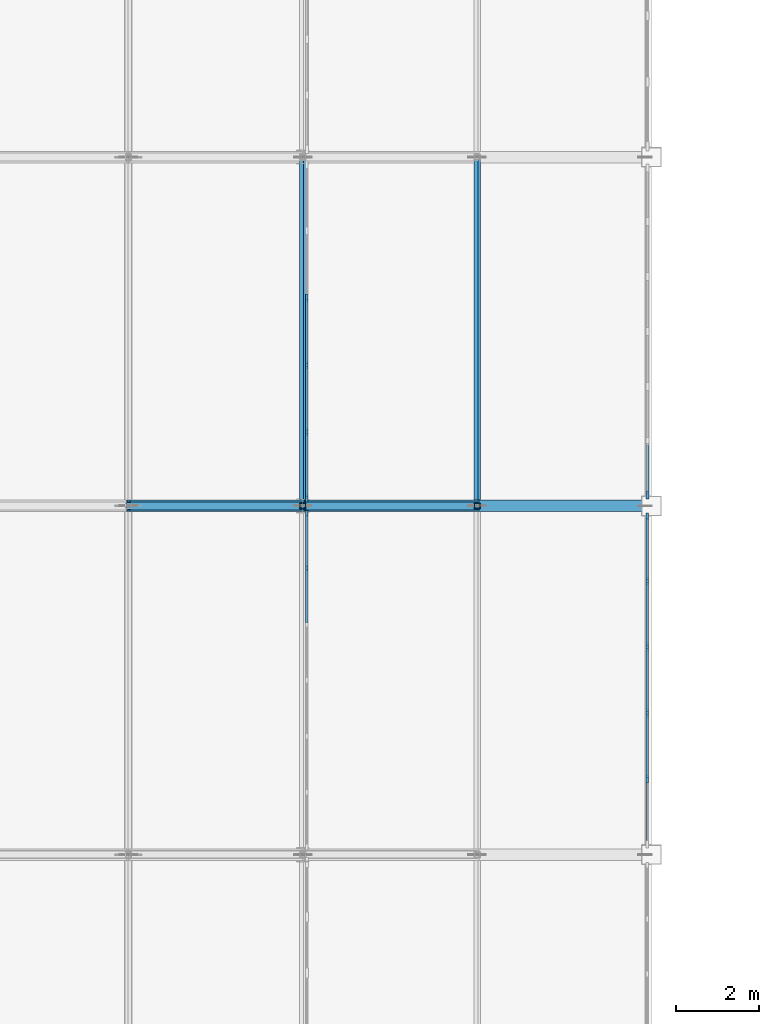
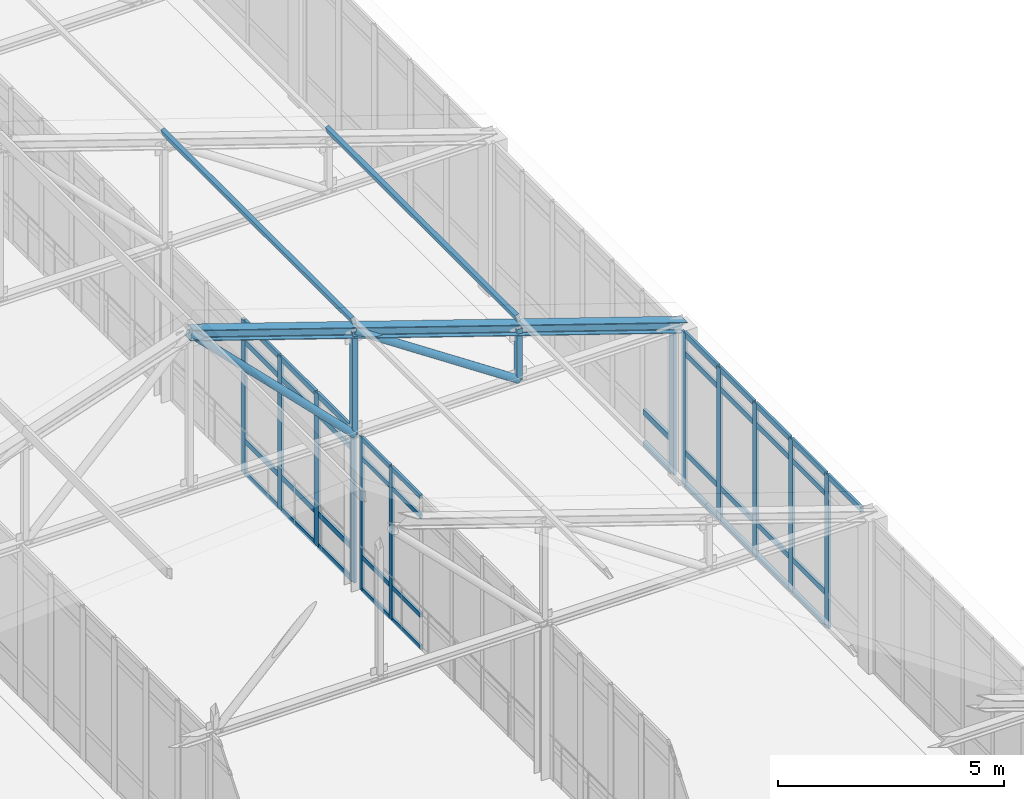
# One storey, part 67 of 192: 60 members, 4 elements without a shape of their own.
"""IFC4 building model written with IfcOpenShell, lengths in metres."""

from ifc_helpers import new_model, si_unit, direction, frame, origin, origin_2d, place, context, subcontext, project, spatial, rectangle, hollow_rectangle, hollow_circle, i_section, extrude, material, layer, layer_set, material_profile, profile_set, type_object, element, aggregate, save


model = new_model("IFC4")

# Units and contexts
model_context = context("Model", 3, precision=1e-05, world=origin(), true_north=direction((0.0, 1.0)))
body_context = subcontext(model_context, "Body", "Model", "MODEL_VIEW")
ifc_project = project(units=[si_unit("LENGTHUNIT", "METRE"), si_unit("AREAUNIT", "SQUARE_METRE"), si_unit("VOLUMEUNIT", "CUBIC_METRE"), si_unit("PLANEANGLEUNIT", "RADIAN"), si_unit("MASSUNIT", "GRAM", prefix="KILO")], contexts=[model_context])

# Site, building, storey
site_placement = place(None, origin())
site = spatial("IfcSite", under=ifc_project, at=site_placement, CompositionType="ELEMENT")
building_placement = place(site_placement, origin())
building = spatial("IfcBuilding", under=site, at=building_placement, Name="Kveldsbrygga Polytechnic", CompositionType="ELEMENT")
storey_placement = place(building_placement, frame((0.0, 0.0, 5.43994140625)))
storey = spatial("IfcBuildingStorey", under=building, at=storey_placement, Name="L01", CompositionType="ELEMENT", Elevation=5.43994140625)

# Curtain wall, members
ifc_material_1 = material(Name="Anodised aluminium AW-6060", Category="aluminium")
ifc_layer_1 = layer(ifc_material_1, 0.179931640625)
ifc_layer_set_1 = layer_set([ifc_layer_1], Name="Anodised aluminium AW-6060")
curtain_wall_type_1 = type_object("IfcCurtainWallType", Name="CW-CONC-A", PredefinedType="USERDEFINED", material=ifc_layer_set_1)
curtain_wall_1_placement = place(storey_placement, origin())
curtain_wall_1 = element("IfcCurtainWall", 1, at=curtain_wall_1_placement, inside=storey, type_object=curtain_wall_type_1, Name="Curtain Wall CW-L01-Y-08-06", ObjectType="UNITISED CURTAIN WALL", PredefinedType="USERDEFINED")
ifc_material_profile_1 = material_profile(ifc_material_1, rectangle(XDim=0.06005859375, YDim=0.139892578125, at=origin_2d()), Name="ALU 60x140")
ifc_profile_set_1 = profile_set([ifc_material_profile_1], Name="Anodised aluminium AW-6060")
member_type_1 = type_object("IfcMemberType", Name="CW-MUL-140", PredefinedType="MULLION", material=ifc_profile_set_1)
member_1_placement = place(storey_placement, frame((67.300048828125, 57.296630859375, 0.0), z_axis=(0.0, 0.0, 1.0), x_axis=(-1.0, 0.0, 0.0)))
member_1 = element("IfcMember", 2, at=member_1_placement, type_object=member_type_1, Name="CW-01 mullion 6", PredefinedType="MULLION", context=body_context, shape_type="SweptSolid", body=[
    extrude(rectangle(XDim=0.06005859375, YDim=0.139892578125, at=origin_2d()), origin(), (0.0, 0.0, 1.0), 4.1201171875),
])
member_2_placement = place(storey_placement, frame((67.300048828125, 58.614990234375, 0.0), z_axis=(0.0, 0.0, 1.0), x_axis=(-1.0, 0.0, 0.0)))
member_2 = element("IfcMember", 3, at=member_2_placement, type_object=member_type_1, Name="CW-01 mullion 7", PredefinedType="MULLION", context=body_context, shape_type="SweptSolid", body=[
    extrude(rectangle(XDim=0.06005859375, YDim=0.139892578125, at=origin_2d()), origin(), (0.0, 0.0, 1.0), 4.1201171875),
])

ifc_layer_2 = layer(ifc_material_1, 0.199951171875)
ifc_layer_set_2 = layer_set([ifc_layer_2], Name="Anodised aluminium AW-6060")
curtain_wall_type_2 = type_object("IfcCurtainWallType", Name="CW-CONC-B", PredefinedType="USERDEFINED", material=ifc_layer_set_2)
curtain_wall_2_placement = place(storey_placement, origin())
curtain_wall_2 = element("IfcCurtainWall", 4, at=curtain_wall_2_placement, inside=storey, type_object=curtain_wall_type_2, Name="Curtain Wall CW-L01-Y-09-06", ObjectType="UNITISED CURTAIN WALL", PredefinedType="USERDEFINED")
ifc_material_profile_2 = material_profile(ifc_material_1, rectangle(XDim=0.06005859375, YDim=0.179931640625, at=origin_2d()), Name="ALU 60x180")
ifc_profile_set_2 = profile_set([ifc_material_profile_2], Name="Anodised aluminium AW-6060")
member_type_2 = type_object("IfcMemberType", Name="CW-MUL-180", PredefinedType="MULLION", material=ifc_profile_set_2)
member_3_placement = place(storey_placement, frame((75.5, 52.215087890625, 0.0), z_axis=(0.0, 0.0, 1.0), x_axis=(-1.0, 0.0, 0.0)))
member_3 = element("IfcMember", 5, at=member_3_placement, type_object=member_type_2, Name="CW-02 mullion 2", PredefinedType="MULLION", context=body_context, shape_type="SweptSolid", body=[
    extrude(rectangle(XDim=0.06005859375, YDim=0.179931640625, at=origin_2d()), origin(), (0.0, 0.0, 1.0), 4.1201171875),
])
member_4_placement = place(storey_placement, frame((75.5, 53.804931640625, 0.0), z_axis=(0.0, 0.0, 1.0), x_axis=(-1.0, 0.0, 0.0)))
member_4 = element("IfcMember", 6, at=member_4_placement, type_object=member_type_2, Name="CW-02 mullion 3", PredefinedType="MULLION", context=body_context, shape_type="SweptSolid", body=[
    extrude(rectangle(XDim=0.06005859375, YDim=0.179931640625, at=origin_2d()), origin(), (0.0, 0.0, 1.0), 4.1201171875),
])
member_5_placement = place(storey_placement, frame((75.5, 55.39501953125, 0.0), z_axis=(0.0, 0.0, 1.0), x_axis=(-1.0, 0.0, 0.0)))
member_5 = element("IfcMember", 7, at=member_5_placement, type_object=member_type_2, Name="CW-02 mullion 4", PredefinedType="MULLION", context=body_context, shape_type="SweptSolid", body=[
    extrude(rectangle(XDim=0.06005859375, YDim=0.179931640625, at=origin_2d()), origin(), (0.0, 0.0, 1.0), 4.1201171875),
])
member_6_placement = place(storey_placement, frame((75.5, 56.985107421875, 0.0), z_axis=(0.0, 0.0, 1.0), x_axis=(-1.0, 0.0, 0.0)))
member_6 = element("IfcMember", 8, at=member_6_placement, type_object=member_type_2, Name="CW-02 mullion 5", PredefinedType="MULLION", context=body_context, shape_type="SweptSolid", body=[
    extrude(rectangle(XDim=0.06005859375, YDim=0.179931640625, at=origin_2d()), origin(), (0.0, 0.0, 1.0), 4.1201171875),
])
member_7_placement = place(storey_placement, frame((75.5, 58.544921875, 0.0), z_axis=(0.0, 0.0, 1.0), x_axis=(-1.0, 0.0, 0.0)))
member_7 = element("IfcMember", 9, at=member_7_placement, type_object=member_type_2, Name="CW-02 mullion 6", PredefinedType="MULLION", context=body_context, shape_type="SweptSolid", body=[
    extrude(rectangle(XDim=0.06005859375, YDim=0.179931640625, at=origin_2d()), origin(), (0.0, 0.0, 1.0), 4.1201171875),
])

curtain_wall_3_placement = place(storey_placement, origin())
curtain_wall_3 = element("IfcCurtainWall", 10, at=curtain_wall_3_placement, inside=storey, type_object=curtain_wall_type_2, Name="Curtain Wall CW-L01-Y-08-07", ObjectType="UNITISED CURTAIN WALL", PredefinedType="USERDEFINED")
member_8_placement = place(storey_placement, frame((67.300048828125, 58.985107421875, 0.0), z_axis=(0.0, 0.0, 1.0), x_axis=(-1.0, 0.0, 0.0)))
member_8 = element("IfcMember", 11, at=member_8_placement, type_object=member_type_2, Name="CW-02 mullion 1", PredefinedType="MULLION", context=body_context, shape_type="SweptSolid", body=[
    extrude(rectangle(XDim=0.06005859375, YDim=0.179931640625, at=origin_2d()), origin(), (0.0, 0.0, 1.0), 4.1201171875),
])
member_9_placement = place(storey_placement, frame((67.300048828125, 60.572998046875, 0.0), z_axis=(0.0, 0.0, 1.0), x_axis=(-1.0, 0.0, 0.0)))
member_9 = element("IfcMember", 12, at=member_9_placement, type_object=member_type_2, Name="CW-02 mullion 2", PredefinedType="MULLION", context=body_context, shape_type="SweptSolid", body=[
    extrude(rectangle(XDim=0.06005859375, YDim=0.179931640625, at=origin_2d()), origin(), (0.0, 0.0, 1.0), 4.1201171875),
])
member_10_placement = place(storey_placement, frame((67.300048828125, 62.19091796875, 0.0), z_axis=(0.0, 0.0, 1.0), x_axis=(-1.0, 0.0, 0.0)))
member_10 = element("IfcMember", 13, at=member_10_placement, type_object=member_type_2, Name="CW-02 mullion 3", PredefinedType="MULLION", context=body_context, shape_type="SweptSolid", body=[
    extrude(rectangle(XDim=0.06005859375, YDim=0.179931640625, at=origin_2d()), origin(), (0.0, 0.0, 1.0), 4.1201171875),
])
member_11_placement = place(storey_placement, frame((67.300048828125, 63.80908203125, 0.0), z_axis=(0.0, 0.0, 1.0), x_axis=(-1.0, 0.0, 0.0)))
member_11 = element("IfcMember", 14, at=member_11_placement, type_object=member_type_2, Name="CW-02 mullion 4", PredefinedType="MULLION", context=body_context, shape_type="SweptSolid", body=[
    extrude(rectangle(XDim=0.06005859375, YDim=0.179931640625, at=origin_2d()), origin(), (0.0, 0.0, 1.0), 4.1201171875),
])

# Curtain wall, member
ifc_layer_3 = layer(ifc_material_1, 0.159912109375)
ifc_layer_set_3 = layer_set([ifc_layer_3], Name="Anodised aluminium AW-6060")
curtain_wall_type_3 = type_object("IfcCurtainWallType", Name="CW-CLER-C", PredefinedType="USERDEFINED", material=ifc_layer_set_3)
curtain_wall_4_placement = place(storey_placement, origin())
curtain_wall_4 = element("IfcCurtainWall", 15, at=curtain_wall_4_placement, inside=storey, type_object=curtain_wall_type_3, Name="Curtain Wall CW-L01-Y-09-07", ObjectType="STICK CURTAIN WALL", PredefinedType="USERDEFINED")
ifc_material_profile_3 = material_profile(ifc_material_1, rectangle(XDim=0.074951171875, YDim=0.199951171875, at=origin_2d()), Name="ALU 75x200")
ifc_profile_set_3 = profile_set([ifc_material_profile_3], Name="Anodised aluminium AW-6060")
member_type_3 = type_object("IfcMemberType", Name="CW-MUL-200", PredefinedType="MULLION", material=ifc_profile_set_3)
member_12_placement = place(storey_placement, frame((75.5, 59.0625, 0.0), z_axis=(0.0, 0.0, 1.0), x_axis=(-1.0, 0.0, 0.0)))
member_12 = element("IfcMember", 16, at=member_12_placement, type_object=member_type_3, Name="CW-03 mullion 1", PredefinedType="MULLION", context=body_context, shape_type="SweptSolid", body=[
    extrude(rectangle(XDim=0.074951171875, YDim=0.199951171875, at=origin_2d()), origin(), (0.0, 0.0, 1.0), 4.1201171875),
])

# Member
ifc_material_profile_4 = material_profile(ifc_material_1, rectangle(XDim=0.06005859375, YDim=0.1201171875, at=origin_2d()), Name="ALU 60x120")
ifc_profile_set_4 = profile_set([ifc_material_profile_4], Name="Anodised aluminium AW-6060")
member_type_4 = type_object("IfcMemberType", Name="CW-TRN-120", PredefinedType="USERDEFINED", material=ifc_profile_set_4)
member_13_placement = place(storey_placement, frame((67.300048828125, 55.978271484375, 0.030029296875), z_axis=(0.0, 1.0, 0.0), x_axis=(-1.0, 0.0, 0.0)))
member_13 = element("IfcMember", 17, at=member_13_placement, type_object=member_type_4, Name="CW-01 transom 5.1", ObjectType="TRANSOM", PredefinedType="USERDEFINED", context=body_context, shape_type="SweptSolid", body=[
    extrude(rectangle(XDim=0.06005859375, YDim=0.1201171875, at=origin_2d()), origin(), (0.0, 0.0, 1.0), 1.288330078125),
])

member_14_placement = place(storey_placement, frame((67.300048828125, 55.978271484375, 0.900146484375), z_axis=(0.0, 1.0, 0.0), x_axis=(-1.0, 0.0, 0.0)))
member_14 = element("IfcMember", 18, at=member_14_placement, type_object=member_type_4, Name="CW-01 transom 5.2", ObjectType="TRANSOM", PredefinedType="USERDEFINED", context=body_context, shape_type="SweptSolid", body=[
    extrude(rectangle(XDim=0.06005859375, YDim=0.1201171875, at=origin_2d()), origin(), (0.0, 0.0, 1.0), 1.288330078125),
])

member_15_placement = place(storey_placement, frame((67.300048828125, 55.978271484375, 3.570068359375), z_axis=(0.0, 1.0, 0.0), x_axis=(-1.0, 0.0, 0.0)))
member_15 = element("IfcMember", 19, at=member_15_placement, type_object=member_type_4, Name="CW-01 transom 5.3", ObjectType="TRANSOM", PredefinedType="USERDEFINED", context=body_context, shape_type="SweptSolid", body=[
    extrude(rectangle(XDim=0.06005859375, YDim=0.1201171875, at=origin_2d()), origin(), (0.0, 0.0, 1.0), 1.288330078125),
])

member_16_placement = place(storey_placement, frame((67.300048828125, 55.978271484375, 4.090087890625), z_axis=(0.0, 1.0, 0.0), x_axis=(-1.0, 0.0, 0.0)))
member_16 = element("IfcMember", 20, at=member_16_placement, type_object=member_type_4, Name="CW-01 transom 5.4", ObjectType="TRANSOM", PredefinedType="USERDEFINED", context=body_context, shape_type="SweptSolid", body=[
    extrude(rectangle(XDim=0.06005859375, YDim=0.1201171875, at=origin_2d()), origin(), (0.0, 0.0, 1.0), 1.288330078125),
])

member_17_placement = place(storey_placement, frame((67.300048828125, 57.32666015625, 0.030029296875), z_axis=(0.0, 1.0, 0.0), x_axis=(-1.0, 0.0, 0.0)))
member_17 = element("IfcMember", 21, at=member_17_placement, type_object=member_type_4, Name="CW-01 transom 6.1", ObjectType="TRANSOM", PredefinedType="USERDEFINED", context=body_context, shape_type="SweptSolid", body=[
    extrude(rectangle(XDim=0.06005859375, YDim=0.1201171875, at=origin_2d()), origin(), (0.0, 0.0, 1.0), 1.25830078125),
])

member_18_placement = place(storey_placement, frame((67.300048828125, 57.32666015625, 0.900146484375), z_axis=(0.0, 1.0, 0.0), x_axis=(-1.0, 0.0, 0.0)))
member_18 = element("IfcMember", 22, at=member_18_placement, type_object=member_type_4, Name="CW-01 transom 6.2", ObjectType="TRANSOM", PredefinedType="USERDEFINED", context=body_context, shape_type="SweptSolid", body=[
    extrude(rectangle(XDim=0.06005859375, YDim=0.1201171875, at=origin_2d()), origin(), (0.0, 0.0, 1.0), 1.25830078125),
])

member_19_placement = place(storey_placement, frame((67.300048828125, 57.32666015625, 3.570068359375), z_axis=(0.0, 1.0, 0.0), x_axis=(-1.0, 0.0, 0.0)))
member_19 = element("IfcMember", 23, at=member_19_placement, type_object=member_type_4, Name="CW-01 transom 6.3", ObjectType="TRANSOM", PredefinedType="USERDEFINED", context=body_context, shape_type="SweptSolid", body=[
    extrude(rectangle(XDim=0.06005859375, YDim=0.1201171875, at=origin_2d()), origin(), (0.0, 0.0, 1.0), 1.25830078125),
])

member_20_placement = place(storey_placement, frame((67.300048828125, 57.32666015625, 4.090087890625), z_axis=(0.0, 1.0, 0.0), x_axis=(-1.0, 0.0, 0.0)))
member_20 = element("IfcMember", 24, at=member_20_placement, type_object=member_type_4, Name="CW-01 transom 6.4", ObjectType="TRANSOM", PredefinedType="USERDEFINED", context=body_context, shape_type="SweptSolid", body=[
    extrude(rectangle(XDim=0.06005859375, YDim=0.1201171875, at=origin_2d()), origin(), (0.0, 0.0, 1.0), 1.25830078125),
])

aggregate(curtain_wall_1, [member_1, member_2, member_13, member_14, member_15, member_16, member_17, member_18, member_19, member_20])

ifc_material_profile_5 = material_profile(ifc_material_1, rectangle(XDim=0.06005859375, YDim=0.14990234375, at=origin_2d()), Name="ALU 60x150")
ifc_profile_set_5 = profile_set([ifc_material_profile_5], Name="Anodised aluminium AW-6060")
member_type_5 = type_object("IfcMemberType", Name="CW-TRN-150", PredefinedType="USERDEFINED", material=ifc_profile_set_5)
member_21_placement = place(storey_placement, frame((75.5, 50.68505859375, 4.090087890625), z_axis=(0.0, 1.0, 0.0), x_axis=(-1.0, 0.0, 0.0)))
member_21 = element("IfcMember", 25, at=member_21_placement, type_object=member_type_5, Name="CW-02 transom 1.4", ObjectType="TRANSOM", PredefinedType="USERDEFINED", context=body_context, shape_type="SweptSolid", body=[
    extrude(rectangle(XDim=0.06005859375, YDim=0.14990234375, at=origin_2d()), origin(), (0.0, 0.0, 1.0), 1.5),
])

member_22_placement = place(storey_placement, frame((75.5, 52.2451171875, 0.030029296875), z_axis=(0.0, 1.0, 0.0), x_axis=(-1.0, 0.0, 0.0)))
member_22 = element("IfcMember", 26, at=member_22_placement, type_object=member_type_5, Name="CW-02 transom 2.1", ObjectType="TRANSOM", PredefinedType="USERDEFINED", context=body_context, shape_type="SweptSolid", body=[
    extrude(rectangle(XDim=0.06005859375, YDim=0.14990234375, at=origin_2d()), origin(), (0.0, 0.0, 1.0), 1.52978515625),
])

member_23_placement = place(storey_placement, frame((75.5, 52.2451171875, 0.900146484375), z_axis=(0.0, 1.0, 0.0), x_axis=(-1.0, 0.0, 0.0)))
member_23 = element("IfcMember", 27, at=member_23_placement, type_object=member_type_5, Name="CW-02 transom 2.2", ObjectType="TRANSOM", PredefinedType="USERDEFINED", context=body_context, shape_type="SweptSolid", body=[
    extrude(rectangle(XDim=0.06005859375, YDim=0.14990234375, at=origin_2d()), origin(), (0.0, 0.0, 1.0), 1.52978515625),
])

member_24_placement = place(storey_placement, frame((75.5, 52.2451171875, 3.570068359375), z_axis=(0.0, 1.0, 0.0), x_axis=(-1.0, 0.0, 0.0)))
member_24 = element("IfcMember", 28, at=member_24_placement, type_object=member_type_5, Name="CW-02 transom 2.3", ObjectType="TRANSOM", PredefinedType="USERDEFINED", context=body_context, shape_type="SweptSolid", body=[
    extrude(rectangle(XDim=0.06005859375, YDim=0.14990234375, at=origin_2d()), origin(), (0.0, 0.0, 1.0), 1.52978515625),
])

member_25_placement = place(storey_placement, frame((75.5, 52.2451171875, 4.090087890625), z_axis=(0.0, 1.0, 0.0), x_axis=(-1.0, 0.0, 0.0)))
member_25 = element("IfcMember", 29, at=member_25_placement, type_object=member_type_5, Name="CW-02 transom 2.4", ObjectType="TRANSOM", PredefinedType="USERDEFINED", context=body_context, shape_type="SweptSolid", body=[
    extrude(rectangle(XDim=0.06005859375, YDim=0.14990234375, at=origin_2d()), origin(), (0.0, 0.0, 1.0), 1.52978515625),
])

member_26_placement = place(storey_placement, frame((75.5, 53.8349609375, 0.030029296875), z_axis=(0.0, 1.0, 0.0), x_axis=(-1.0, 0.0, 0.0)))
member_26 = element("IfcMember", 30, at=member_26_placement, type_object=member_type_5, Name="CW-02 transom 3.1", ObjectType="TRANSOM", PredefinedType="USERDEFINED", context=body_context, shape_type="SweptSolid", body=[
    extrude(rectangle(XDim=0.06005859375, YDim=0.14990234375, at=origin_2d()), origin(), (0.0, 0.0, 1.0), 1.530029296875),
])

member_27_placement = place(storey_placement, frame((75.5, 53.8349609375, 0.900146484375), z_axis=(0.0, 1.0, 0.0), x_axis=(-1.0, 0.0, 0.0)))
member_27 = element("IfcMember", 31, at=member_27_placement, type_object=member_type_5, Name="CW-02 transom 3.2", ObjectType="TRANSOM", PredefinedType="USERDEFINED", context=body_context, shape_type="SweptSolid", body=[
    extrude(rectangle(XDim=0.06005859375, YDim=0.14990234375, at=origin_2d()), origin(), (0.0, 0.0, 1.0), 1.530029296875),
])

member_28_placement = place(storey_placement, frame((75.5, 53.8349609375, 3.570068359375), z_axis=(0.0, 1.0, 0.0), x_axis=(-1.0, 0.0, 0.0)))
member_28 = element("IfcMember", 32, at=member_28_placement, type_object=member_type_5, Name="CW-02 transom 3.3", ObjectType="TRANSOM", PredefinedType="USERDEFINED", context=body_context, shape_type="SweptSolid", body=[
    extrude(rectangle(XDim=0.06005859375, YDim=0.14990234375, at=origin_2d()), origin(), (0.0, 0.0, 1.0), 1.530029296875),
])

member_29_placement = place(storey_placement, frame((75.5, 53.8349609375, 4.090087890625), z_axis=(0.0, 1.0, 0.0), x_axis=(-1.0, 0.0, 0.0)))
member_29 = element("IfcMember", 33, at=member_29_placement, type_object=member_type_5, Name="CW-02 transom 3.4", ObjectType="TRANSOM", PredefinedType="USERDEFINED", context=body_context, shape_type="SweptSolid", body=[
    extrude(rectangle(XDim=0.06005859375, YDim=0.14990234375, at=origin_2d()), origin(), (0.0, 0.0, 1.0), 1.530029296875),
])

member_30_placement = place(storey_placement, frame((75.5, 55.425048828125, 0.030029296875), z_axis=(0.0, 1.0, 0.0), x_axis=(-1.0, 0.0, 0.0)))
member_30 = element("IfcMember", 34, at=member_30_placement, type_object=member_type_5, Name="CW-02 transom 4.1", ObjectType="TRANSOM", PredefinedType="USERDEFINED", context=body_context, shape_type="SweptSolid", body=[
    extrude(rectangle(XDim=0.06005859375, YDim=0.14990234375, at=origin_2d()), origin(), (0.0, 0.0, 1.0), 1.530029296875),
])

member_31_placement = place(storey_placement, frame((75.5, 55.425048828125, 0.900146484375), z_axis=(0.0, 1.0, 0.0), x_axis=(-1.0, 0.0, 0.0)))
member_31 = element("IfcMember", 35, at=member_31_placement, type_object=member_type_5, Name="CW-02 transom 4.2", ObjectType="TRANSOM", PredefinedType="USERDEFINED", context=body_context, shape_type="SweptSolid", body=[
    extrude(rectangle(XDim=0.06005859375, YDim=0.14990234375, at=origin_2d()), origin(), (0.0, 0.0, 1.0), 1.530029296875),
])

member_32_placement = place(storey_placement, frame((75.5, 55.425048828125, 3.570068359375), z_axis=(0.0, 1.0, 0.0), x_axis=(-1.0, 0.0, 0.0)))
member_32 = element("IfcMember", 36, at=member_32_placement, type_object=member_type_5, Name="CW-02 transom 4.3", ObjectType="TRANSOM", PredefinedType="USERDEFINED", context=body_context, shape_type="SweptSolid", body=[
    extrude(rectangle(XDim=0.06005859375, YDim=0.14990234375, at=origin_2d()), origin(), (0.0, 0.0, 1.0), 1.530029296875),
])

member_33_placement = place(storey_placement, frame((75.5, 55.425048828125, 4.090087890625), z_axis=(0.0, 1.0, 0.0), x_axis=(-1.0, 0.0, 0.0)))
member_33 = element("IfcMember", 37, at=member_33_placement, type_object=member_type_5, Name="CW-02 transom 4.4", ObjectType="TRANSOM", PredefinedType="USERDEFINED", context=body_context, shape_type="SweptSolid", body=[
    extrude(rectangle(XDim=0.06005859375, YDim=0.14990234375, at=origin_2d()), origin(), (0.0, 0.0, 1.0), 1.530029296875),
])

member_34_placement = place(storey_placement, frame((75.5, 57.014892578125, 0.030029296875), z_axis=(0.0, 1.0, 0.0), x_axis=(-1.0, 0.0, 0.0)))
member_34 = element("IfcMember", 38, at=member_34_placement, type_object=member_type_5, Name="CW-02 transom 5.1", ObjectType="TRANSOM", PredefinedType="USERDEFINED", context=body_context, shape_type="SweptSolid", body=[
    extrude(rectangle(XDim=0.06005859375, YDim=0.14990234375, at=origin_2d()), origin(), (0.0, 0.0, 1.0), 1.5),
])

member_35_placement = place(storey_placement, frame((75.5, 57.014892578125, 0.900146484375), z_axis=(0.0, 1.0, 0.0), x_axis=(-1.0, 0.0, 0.0)))
member_35 = element("IfcMember", 39, at=member_35_placement, type_object=member_type_5, Name="CW-02 transom 5.2", ObjectType="TRANSOM", PredefinedType="USERDEFINED", context=body_context, shape_type="SweptSolid", body=[
    extrude(rectangle(XDim=0.06005859375, YDim=0.14990234375, at=origin_2d()), origin(), (0.0, 0.0, 1.0), 1.5),
])

member_36_placement = place(storey_placement, frame((75.5, 57.014892578125, 3.570068359375), z_axis=(0.0, 1.0, 0.0), x_axis=(-1.0, 0.0, 0.0)))
member_36 = element("IfcMember", 40, at=member_36_placement, type_object=member_type_5, Name="CW-02 transom 5.3", ObjectType="TRANSOM", PredefinedType="USERDEFINED", context=body_context, shape_type="SweptSolid", body=[
    extrude(rectangle(XDim=0.06005859375, YDim=0.14990234375, at=origin_2d()), origin(), (0.0, 0.0, 1.0), 1.5),
])

member_37_placement = place(storey_placement, frame((75.5, 57.014892578125, 4.090087890625), z_axis=(0.0, 1.0, 0.0), x_axis=(-1.0, 0.0, 0.0)))
member_37 = element("IfcMember", 41, at=member_37_placement, type_object=member_type_5, Name="CW-02 transom 5.4", ObjectType="TRANSOM", PredefinedType="USERDEFINED", context=body_context, shape_type="SweptSolid", body=[
    extrude(rectangle(XDim=0.06005859375, YDim=0.14990234375, at=origin_2d()), origin(), (0.0, 0.0, 1.0), 1.5),
])

aggregate(curtain_wall_2, [member_3, member_4, member_5, member_6, member_7, member_21, member_22, member_23, member_24, member_25, member_26, member_27, member_28, member_29, member_30, member_31, member_32, member_33, member_34, member_35, member_36, member_37])

member_38_placement = place(storey_placement, frame((67.300048828125, 59.014892578125, 0.030029296875), z_axis=(0.0, 1.0, 0.0), x_axis=(-1.0, 0.0, 0.0)))
member_38 = element("IfcMember", 42, at=member_38_placement, type_object=member_type_5, Name="CW-02 transom 1.1", ObjectType="TRANSOM", PredefinedType="USERDEFINED", context=body_context, shape_type="SweptSolid", body=[
    extrude(rectangle(XDim=0.06005859375, YDim=0.14990234375, at=origin_2d()), origin(), (0.0, 0.0, 1.0), 1.528076171875),
])

member_39_placement = place(storey_placement, frame((67.300048828125, 59.014892578125, 0.900146484375), z_axis=(0.0, 1.0, 0.0), x_axis=(-1.0, 0.0, 0.0)))
member_39 = element("IfcMember", 43, at=member_39_placement, type_object=member_type_5, Name="CW-02 transom 1.2", ObjectType="TRANSOM", PredefinedType="USERDEFINED", context=body_context, shape_type="SweptSolid", body=[
    extrude(rectangle(XDim=0.06005859375, YDim=0.14990234375, at=origin_2d()), origin(), (0.0, 0.0, 1.0), 1.528076171875),
])

member_40_placement = place(storey_placement, frame((67.300048828125, 59.014892578125, 3.570068359375), z_axis=(0.0, 1.0, 0.0), x_axis=(-1.0, 0.0, 0.0)))
member_40 = element("IfcMember", 44, at=member_40_placement, type_object=member_type_5, Name="CW-02 transom 1.3", ObjectType="TRANSOM", PredefinedType="USERDEFINED", context=body_context, shape_type="SweptSolid", body=[
    extrude(rectangle(XDim=0.06005859375, YDim=0.14990234375, at=origin_2d()), origin(), (0.0, 0.0, 1.0), 1.528076171875),
])

member_41_placement = place(storey_placement, frame((67.300048828125, 59.014892578125, 4.090087890625), z_axis=(0.0, 1.0, 0.0), x_axis=(-1.0, 0.0, 0.0)))
member_41 = element("IfcMember", 45, at=member_41_placement, type_object=member_type_5, Name="CW-02 transom 1.4", ObjectType="TRANSOM", PredefinedType="USERDEFINED", context=body_context, shape_type="SweptSolid", body=[
    extrude(rectangle(XDim=0.06005859375, YDim=0.14990234375, at=origin_2d()), origin(), (0.0, 0.0, 1.0), 1.528076171875),
])

member_42_placement = place(storey_placement, frame((67.300048828125, 60.60302734375, 0.030029296875), z_axis=(0.0, 1.0, 0.0), x_axis=(-1.0, 0.0, 0.0)))
member_42 = element("IfcMember", 46, at=member_42_placement, type_object=member_type_5, Name="CW-02 transom 2.1", ObjectType="TRANSOM", PredefinedType="USERDEFINED", context=body_context, shape_type="SweptSolid", body=[
    extrude(rectangle(XDim=0.06005859375, YDim=0.14990234375, at=origin_2d()), origin(), (0.0, 0.0, 1.0), 1.557861328125),
])

member_43_placement = place(storey_placement, frame((67.300048828125, 60.60302734375, 0.900146484375), z_axis=(0.0, 1.0, 0.0), x_axis=(-1.0, 0.0, 0.0)))
member_43 = element("IfcMember", 47, at=member_43_placement, type_object=member_type_5, Name="CW-02 transom 2.2", ObjectType="TRANSOM", PredefinedType="USERDEFINED", context=body_context, shape_type="SweptSolid", body=[
    extrude(rectangle(XDim=0.06005859375, YDim=0.14990234375, at=origin_2d()), origin(), (0.0, 0.0, 1.0), 1.557861328125),
])

member_44_placement = place(storey_placement, frame((67.300048828125, 60.60302734375, 3.570068359375), z_axis=(0.0, 1.0, 0.0), x_axis=(-1.0, 0.0, 0.0)))
member_44 = element("IfcMember", 48, at=member_44_placement, type_object=member_type_5, Name="CW-02 transom 2.3", ObjectType="TRANSOM", PredefinedType="USERDEFINED", context=body_context, shape_type="SweptSolid", body=[
    extrude(rectangle(XDim=0.06005859375, YDim=0.14990234375, at=origin_2d()), origin(), (0.0, 0.0, 1.0), 1.557861328125),
])

member_45_placement = place(storey_placement, frame((67.300048828125, 60.60302734375, 4.090087890625), z_axis=(0.0, 1.0, 0.0), x_axis=(-1.0, 0.0, 0.0)))
member_45 = element("IfcMember", 49, at=member_45_placement, type_object=member_type_5, Name="CW-02 transom 2.4", ObjectType="TRANSOM", PredefinedType="USERDEFINED", context=body_context, shape_type="SweptSolid", body=[
    extrude(rectangle(XDim=0.06005859375, YDim=0.14990234375, at=origin_2d()), origin(), (0.0, 0.0, 1.0), 1.557861328125),
])

member_46_placement = place(storey_placement, frame((67.300048828125, 62.220947265625, 0.030029296875), z_axis=(0.0, 1.0, 0.0), x_axis=(-1.0, 0.0, 0.0)))
member_46 = element("IfcMember", 50, at=member_46_placement, type_object=member_type_5, Name="CW-02 transom 3.1", ObjectType="TRANSOM", PredefinedType="USERDEFINED", context=body_context, shape_type="SweptSolid", body=[
    extrude(rectangle(XDim=0.06005859375, YDim=0.14990234375, at=origin_2d()), origin(), (0.0, 0.0, 1.0), 1.55810546875),
])

member_47_placement = place(storey_placement, frame((67.300048828125, 62.220947265625, 0.900146484375), z_axis=(0.0, 1.0, 0.0), x_axis=(-1.0, 0.0, 0.0)))
member_47 = element("IfcMember", 51, at=member_47_placement, type_object=member_type_5, Name="CW-02 transom 3.2", ObjectType="TRANSOM", PredefinedType="USERDEFINED", context=body_context, shape_type="SweptSolid", body=[
    extrude(rectangle(XDim=0.06005859375, YDim=0.14990234375, at=origin_2d()), origin(), (0.0, 0.0, 1.0), 1.55810546875),
])

member_48_placement = place(storey_placement, frame((67.300048828125, 62.220947265625, 3.570068359375), z_axis=(0.0, 1.0, 0.0), x_axis=(-1.0, 0.0, 0.0)))
member_48 = element("IfcMember", 52, at=member_48_placement, type_object=member_type_5, Name="CW-02 transom 3.3", ObjectType="TRANSOM", PredefinedType="USERDEFINED", context=body_context, shape_type="SweptSolid", body=[
    extrude(rectangle(XDim=0.06005859375, YDim=0.14990234375, at=origin_2d()), origin(), (0.0, 0.0, 1.0), 1.55810546875),
])

member_49_placement = place(storey_placement, frame((67.300048828125, 62.220947265625, 4.090087890625), z_axis=(0.0, 1.0, 0.0), x_axis=(-1.0, 0.0, 0.0)))
member_49 = element("IfcMember", 53, at=member_49_placement, type_object=member_type_5, Name="CW-02 transom 3.4", ObjectType="TRANSOM", PredefinedType="USERDEFINED", context=body_context, shape_type="SweptSolid", body=[
    extrude(rectangle(XDim=0.06005859375, YDim=0.14990234375, at=origin_2d()), origin(), (0.0, 0.0, 1.0), 1.55810546875),
])

aggregate(curtain_wall_3, [member_8, member_9, member_10, member_11, member_38, member_39, member_40, member_41, member_42, member_43, member_44, member_45, member_46, member_47, member_48, member_49])

ifc_material_profile_6 = material_profile(ifc_material_1, rectangle(XDim=0.074951171875, YDim=0.159912109375, at=origin_2d()), Name="ALU 75x160")
ifc_profile_set_6 = profile_set([ifc_material_profile_6], Name="Anodised aluminium AW-6060")
member_type_6 = type_object("IfcMemberType", Name="CW-TRN-160", PredefinedType="USERDEFINED", material=ifc_profile_set_6)
member_50_placement = place(storey_placement, frame((75.5, 59.10009765625, 0.03759765625), z_axis=(0.0, 1.0, 0.0), x_axis=(-1.0, 0.0, 0.0)))
member_50 = element("IfcMember", 54, at=member_50_placement, type_object=member_type_6, Name="CW-03 transom 1.1", ObjectType="TRANSOM", PredefinedType="USERDEFINED", context=body_context, shape_type="SweptSolid", body=[
    extrude(rectangle(XDim=0.074951171875, YDim=0.159912109375, at=origin_2d()), origin(), (0.0, 0.0, 1.0), 1.21240234375),
])

member_51_placement = place(storey_placement, frame((75.5, 59.10009765625, 0.900146484375), z_axis=(0.0, 1.0, 0.0), x_axis=(-1.0, 0.0, 0.0)))
member_51 = element("IfcMember", 55, at=member_51_placement, type_object=member_type_6, Name="CW-03 transom 1.2", ObjectType="TRANSOM", PredefinedType="USERDEFINED", context=body_context, shape_type="SweptSolid", body=[
    extrude(rectangle(XDim=0.074951171875, YDim=0.159912109375, at=origin_2d()), origin(), (0.0, 0.0, 1.0), 1.21240234375),
])

aggregate(curtain_wall_4, [member_12, member_50, member_51])

# Members
ifc_material_2 = material(Name="Steel S355", Category="steel")
ifc_material_profile_7 = material_profile(ifc_material_2, hollow_rectangle(XDim=0.10009765625, YDim=0.199951171875, WallThickness=0.010009765625, at=origin_2d()), Name="RHS 200x100x10.0")
ifc_profile_set_7 = profile_set([ifc_material_profile_7], Name="Steel S355")
member_type_7 = type_object("IfcMemberType", Name="PRL-RHS200", PredefinedType="PURLIN", material=ifc_profile_set_7)
for number, where, z_axis, x_axis, name in (
    (56, (67.199951171875, 58.800048828125, 7.173095703125), (0.0, 1.0, 0.0), (-0.948683567514, 0.0, -0.316226957624), "Roof Purlin V5C-PRL-7-4"),
    (57, (71.39990234375, 58.800048828125, 5.77294921875), (0.0, 1.0, 0.0), (-0.948683567514, 0.0, -0.316226957624), "Roof Purlin V5C-PRL-7-5"),
):
    element("IfcMember", number, at=place(storey_placement, frame(where, z_axis=z_axis, x_axis=x_axis)), inside=storey, type_object=member_type_7, Name=name, PredefinedType="PURLIN", context=body_context, shape_type="SweptSolid", body=[
        extrude(hollow_rectangle(XDim=0.10009765625, YDim=0.199951171875, WallThickness=0.010009765625, at=origin_2d()), origin(), (0.0, 0.0, 1.0), 8.39990234375),
    ])
ifc_material_profile_8 = material_profile(ifc_material_2, hollow_circle(Radius=0.096923828125, WallThickness=0.010009765625, at=origin_2d()), Name="CHS 193.7x10.0")
ifc_profile_set_8 = profile_set([ifc_material_profile_8], Name="Steel S355")
member_type_8 = type_object("IfcMemberType", Name="TR-DIAG-CHS194", PredefinedType="BRACE", material=ifc_profile_set_8)
member_52_placement = place(storey_placement, frame((63.0, 58.800048828125, 8.320068359375), z_axis=(0.707106781187, 0.0, -0.707106781187), x_axis=(0.0, 1.0, 0.0)))
element("IfcMember", 58, at=member_52_placement, inside=storey, type_object=member_type_8, Name="Truss Diagonal V5C-T07-DG-4", PredefinedType="BRACE", context=body_context, shape_type="SweptSolid", body=[
    extrude(hollow_circle(Radius=0.096923828125, WallThickness=0.010009765625, at=origin_2d()), origin(), (0.0, 0.0, 1.0), 5.939697265625),
])
member_53_placement = place(storey_placement, frame((67.199951171875, 58.800048828125, 6.920166015625), z_axis=(0.832042853317, 0.0, -0.554711357594), x_axis=(0.0, 1.0, 0.0)))
element("IfcMember", 59, at=member_53_placement, inside=storey, type_object=member_type_8, Name="Truss Diagonal V5C-T07-DG-5", PredefinedType="BRACE", context=body_context, shape_type="SweptSolid", body=[
    extrude(hollow_circle(Radius=0.096923828125, WallThickness=0.010009765625, at=origin_2d()), origin(), (0.0, 0.0, 1.0), 5.0478515625),
])
ifc_material_profile_9 = material_profile(ifc_material_2, hollow_rectangle(XDim=0.139892578125, YDim=0.139892578125, WallThickness=0.008056640625, at=origin_2d()), Name="SHS 140x140x8.0")
ifc_profile_set_9 = profile_set([ifc_material_profile_9], Name="Steel S355")
member_type_9 = type_object("IfcMemberType", Name="TR-POST-SHS140", PredefinedType="STRUT", material=ifc_profile_set_9)
member_54_placement = place(storey_placement, frame((67.199951171875, 58.800048828125, 4.1201171875), z_axis=(0.0, 0.0, 1.0), x_axis=(1.0, 0.0, 0.0)))
element("IfcMember", 60, at=member_54_placement, inside=storey, type_object=member_type_9, Name="Truss Vertical V5C-T07-VT-4", PredefinedType="STRUT", context=body_context, shape_type="SweptSolid", body=[
    extrude(hollow_rectangle(XDim=0.139892578125, YDim=0.139892578125, WallThickness=0.008056640625, at=origin_2d()), origin(), (0.0, 0.0, 1.0), 2.800048828125),
])
member_55_placement = place(storey_placement, frame((71.39990234375, 58.800048828125, 4.1201171875), z_axis=(0.0, 0.0, 1.0), x_axis=(1.0, 0.0, 0.0)))
element("IfcMember", 61, at=member_55_placement, inside=storey, type_object=member_type_9, Name="Truss Vertical V5C-T07-VT-5", PredefinedType="STRUT", context=body_context, shape_type="SweptSolid", body=[
    extrude(hollow_rectangle(XDim=0.139892578125, YDim=0.139892578125, WallThickness=0.008056640625, at=origin_2d()), origin(), (0.0, 0.0, 1.0), 1.39990234375),
])
ifc_material_profile_10 = material_profile(ifc_material_2, i_section(OverallWidth=0.280029296875, OverallDepth=0.280029296875, WebThickness=0.010498046875, FlangeThickness=0.01806640625, FilletRadius=0.02392578125, at=origin_2d()), Name="HEB 280")
ifc_profile_set_10 = profile_set([ifc_material_profile_10], Name="Steel S355")
member_type_10 = type_object("IfcMemberType", Name="TR-TOP-HEB280", PredefinedType="CHORD", material=ifc_profile_set_10)
member_56_placement = place(storey_placement, frame((63.0, 58.800048828125, 8.320068359375), z_axis=(0.948688812577, 0.0, -0.316211221956), x_axis=(0.0, 1.0, 0.0)))
element("IfcMember", 62, at=member_56_placement, inside=storey, type_object=member_type_10, Name="Truss Top Chord V5C-T07-TC-4", PredefinedType="CHORD", context=body_context, shape_type="SweptSolid", body=[
    extrude(i_section(OverallWidth=0.280029296875, OverallDepth=0.280029296875, WebThickness=0.010498046875, FlangeThickness=0.01806640625, FilletRadius=0.02392578125, at=origin_2d()), origin(), (0.0, 0.0, 1.0), 4.427001953125),
])
for number, where, z_axis, x_axis, name in (
    (63, (67.199951171875, 58.800048828125, 6.920166015625), (0.948672268324, 0.0, -0.316260853272), (0.0, 1.0, 0.0), "Truss Top Chord V5C-T07-TC-5"),
    (64, (71.39990234375, 58.800048828125, 5.52001953125), (0.948694326238, 0.0, -0.316194679531), (0.0, 1.0, 0.0), "Truss Top Chord V5C-T07-TC-6"),
):
    element("IfcMember", number, at=place(storey_placement, frame(where, z_axis=z_axis, x_axis=x_axis)), inside=storey, type_object=member_type_10, Name=name, PredefinedType="CHORD", context=body_context, shape_type="SweptSolid", body=[
        extrude(i_section(OverallWidth=0.280029296875, OverallDepth=0.280029296875, WebThickness=0.010498046875, FlangeThickness=0.01806640625, FilletRadius=0.02392578125, at=origin_2d()), origin(), (0.0, 0.0, 1.0), 4.42724609375),
    ])

save(model, "model.ifc")
